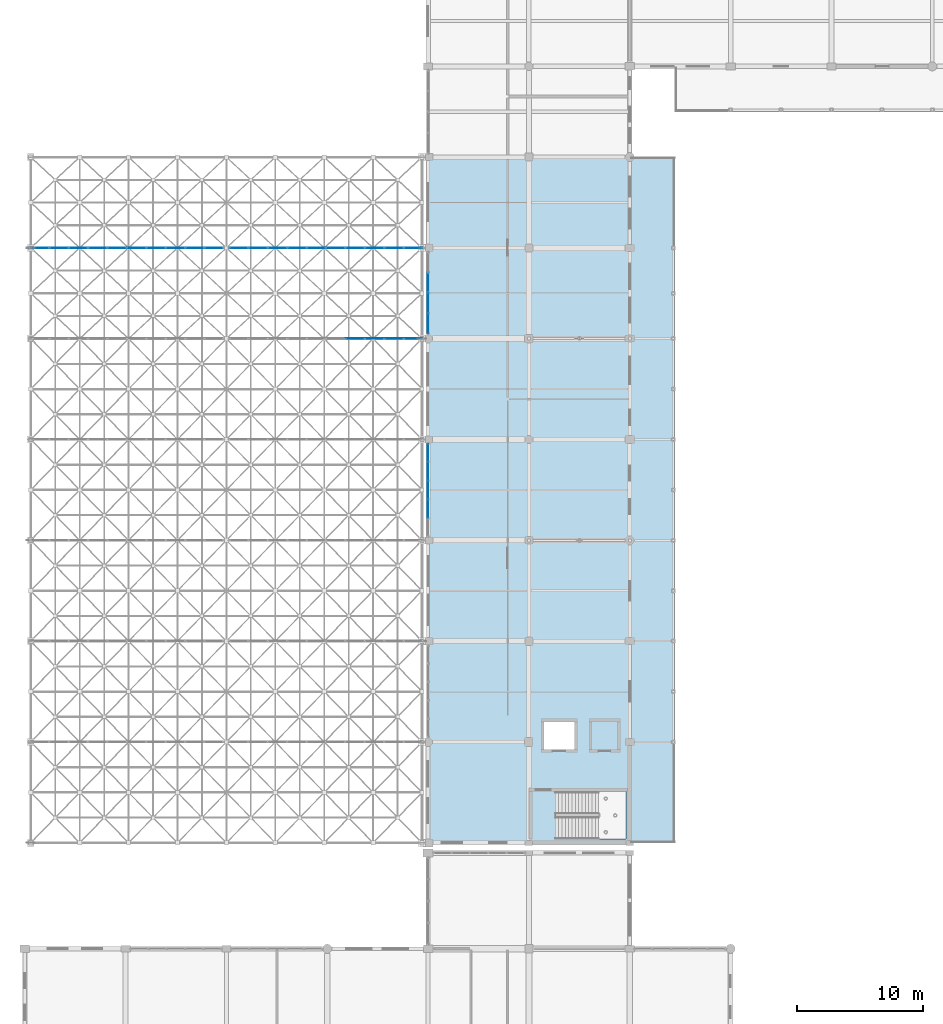
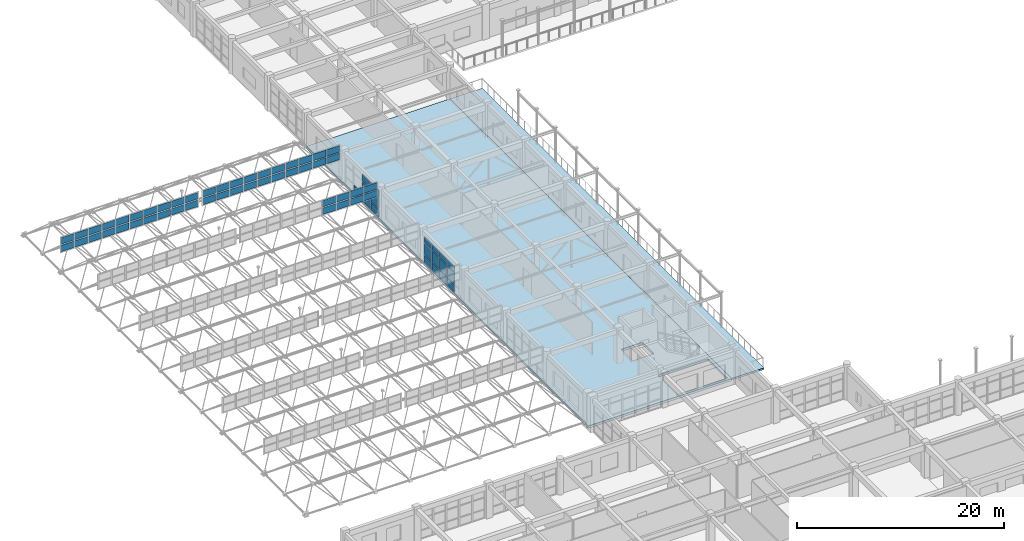
# One storey, part 149 of 195: 67 plates, 2 slabs, 5 elements without a shape of their own.
"""IFC4 building model written with IfcOpenShell, lengths in metres."""

from ifc_helpers import new_model, si_unit, direction, frame, origin, origin_2d, place, context, subcontext, project, spatial, polyline, rectangle, outline, extrude, material, layer, layer_set, type_object, element, aggregate, save


model = new_model("IFC4")

# Units and contexts
model_context = context("Model", 3, precision=1e-05, world=origin(), true_north=direction((0.0, 1.0)))
body_context = subcontext(model_context, "Body", "Model", "MODEL_VIEW")
ifc_project = project(units=[si_unit("LENGTHUNIT", "METRE"), si_unit("AREAUNIT", "SQUARE_METRE"), si_unit("VOLUMEUNIT", "CUBIC_METRE"), si_unit("PLANEANGLEUNIT", "RADIAN"), si_unit("MASSUNIT", "GRAM", prefix="KILO")], contexts=[model_context])

# Site, building, storey
site_placement = place(None, origin())
site = spatial("IfcSite", under=ifc_project, at=site_placement, CompositionType="ELEMENT")
building_placement = place(site_placement, origin())
building = spatial("IfcBuilding", under=site, at=building_placement, Name="Kharva Crest Polytechnic", CompositionType="ELEMENT")
storey_placement = place(building_placement, frame((0.0, 0.0, 9.0)))
storey = spatial("IfcBuildingStorey", under=building, at=storey_placement, Name="L02", CompositionType="ELEMENT", Elevation=9.0)

# Curtain wall, plates
ifc_material_1 = material(Name="Tempered insulated glass", Category="glass")
curtain_wall_type_1 = type_object("IfcCurtainWallType", Name="CW-SYS-COURT", PredefinedType="USERDEFINED", material=ifc_material_1)
curtain_wall_1_placement = place(storey_placement, origin())
curtain_wall_1 = element("IfcCurtainWall", 1, at=curtain_wall_1_placement, inside=storey, type_object=curtain_wall_type_1, Name="L02 Glazed Curtain Wall CW-098", ObjectType="CURTAIN WALL", PredefinedType="USERDEFINED")
ifc_layer_1 = layer(ifc_material_1, 0.02392578125, Name="Tempered insulated glass")
ifc_layer_set_1 = layer_set([ifc_layer_1], Name="Tempered insulated glass")
plate_type_1 = type_object("IfcPlateType", Name="CWP-GLZ-24", PredefinedType="CURTAIN_PANEL", material=ifc_layer_set_1)
plate_1_placement = place(storey_placement, frame((32.0, 83.246337890625, 0.119873046875), z_axis=(0.0, 0.0, 1.0), x_axis=(0.0, -1.0, 0.0)))
plate_1 = element("IfcPlate", 2, at=plate_1_placement, type_object=plate_type_1, Name="CW-098 panel 2.1", PredefinedType="CURTAIN_PANEL", context=body_context, shape_type="SweptSolid", body=[
    extrude(rectangle(XDim=1.552490234375, YDim=0.02392578125, at=origin_2d()), origin(), (0.0, 0.0, 1.0), 0.8701171875),
])
plate_2_placement = place(storey_placement, frame((32.0, 81.61376953125, 0.119873046875), z_axis=(0.0, 0.0, 1.0), x_axis=(0.0, -1.0, 0.0)))
plate_2 = element("IfcPlate", 3, at=plate_2_placement, type_object=plate_type_1, Name="CW-098 panel 3.1", PredefinedType="CURTAIN_PANEL", context=body_context, shape_type="SweptSolid", body=[
    extrude(rectangle(XDim=1.552490234375, YDim=0.02392578125, at=origin_2d()), origin(), (0.0, 0.0, 1.0), 0.8701171875),
])
plate_3_placement = place(storey_placement, frame((32.0, 81.61376953125, 1.10986328125), z_axis=(0.0, 0.0, 1.0), x_axis=(0.0, -1.0, 0.0)))
plate_3 = element("IfcPlate", 4, at=plate_3_placement, type_object=plate_type_1, Name="CW-098 panel 3.2", PredefinedType="CURTAIN_PANEL", context=body_context, shape_type="SweptSolid", body=[
    extrude(rectangle(XDim=1.552490234375, YDim=0.02392578125, at=origin_2d()), origin(), (0.0, 0.0, 1.0), 1.280029296875),
])
plate_4_placement = place(storey_placement, frame((32.0, 81.61376953125, 2.510009765625), z_axis=(0.0, 0.0, 1.0), x_axis=(0.0, -1.0, 0.0)))
plate_4 = element("IfcPlate", 5, at=plate_4_placement, type_object=plate_type_1, Name="CW-098 panel 3.3", PredefinedType="CURTAIN_PANEL", context=body_context, shape_type="SweptSolid", body=[
    extrude(rectangle(XDim=1.552490234375, YDim=0.02392578125, at=origin_2d()), origin(), (0.0, 0.0, 1.0), 0.77001953125),
])
plate_5_placement = place(storey_placement, frame((32.0, 80.001220703125, 0.119873046875), z_axis=(0.0, 0.0, 1.0), x_axis=(0.0, -1.0, 0.0)))
plate_5 = element("IfcPlate", 6, at=plate_5_placement, type_object=plate_type_1, Name="CW-098 panel 4.1", PredefinedType="CURTAIN_PANEL", context=body_context, shape_type="SweptSolid", body=[
    extrude(rectangle(XDim=1.512451171875, YDim=0.02392578125, at=origin_2d()), origin(), (0.0, 0.0, 1.0), 0.8701171875),
])
plate_6_placement = place(storey_placement, frame((32.0, 80.001220703125, 1.10986328125), z_axis=(0.0, 0.0, 1.0), x_axis=(0.0, -1.0, 0.0)))
plate_6 = element("IfcPlate", 7, at=plate_6_placement, type_object=plate_type_1, Name="CW-098 panel 4.2", PredefinedType="CURTAIN_PANEL", context=body_context, shape_type="SweptSolid", body=[
    extrude(rectangle(XDim=1.512451171875, YDim=0.02392578125, at=origin_2d()), origin(), (0.0, 0.0, 1.0), 1.280029296875),
])
plate_7_placement = place(storey_placement, frame((32.0, 80.001220703125, 2.510009765625), z_axis=(0.0, 0.0, 1.0), x_axis=(0.0, -1.0, 0.0)))
plate_7 = element("IfcPlate", 8, at=plate_7_placement, type_object=plate_type_1, Name="CW-098 panel 4.3", PredefinedType="CURTAIN_PANEL", context=body_context, shape_type="SweptSolid", body=[
    extrude(rectangle(XDim=1.512451171875, YDim=0.02392578125, at=origin_2d()), origin(), (0.0, 0.0, 1.0), 0.77001953125),
])
aggregate(curtain_wall_1, [plate_1, plate_2, plate_3, plate_4, plate_5, plate_6, plate_7])

curtain_wall_2_placement = place(storey_placement, origin())
curtain_wall_2 = element("IfcCurtainWall", 9, at=curtain_wall_2_placement, inside=storey, type_object=curtain_wall_type_1, Name="L02 Glazed Curtain Wall CW-099", ObjectType="CURTAIN WALL", PredefinedType="USERDEFINED")
plate_8_placement = place(storey_placement, frame((32.0, 69.756103515625, 0.119873046875), z_axis=(0.0, 0.0, 1.0), x_axis=(0.0, -1.0, 0.0)))
plate_8 = element("IfcPlate", 10, at=plate_8_placement, type_object=plate_type_1, Name="CW-099 panel 1.1", PredefinedType="CURTAIN_PANEL", context=body_context, shape_type="SweptSolid", body=[
    extrude(rectangle(XDim=1.367919921875, YDim=0.02392578125, at=origin_2d()), origin(), (0.0, 0.0, 1.0), 0.8701171875),
])
plate_9_placement = place(storey_placement, frame((32.0, 69.756103515625, 1.10986328125), z_axis=(0.0, 0.0, 1.0), x_axis=(0.0, -1.0, 0.0)))
plate_9 = element("IfcPlate", 11, at=plate_9_placement, type_object=plate_type_1, Name="CW-099 panel 1.2", PredefinedType="CURTAIN_PANEL", context=body_context, shape_type="SweptSolid", body=[
    extrude(rectangle(XDim=1.367919921875, YDim=0.02392578125, at=origin_2d()), origin(), (0.0, 0.0, 1.0), 1.280029296875),
])
plate_10_placement = place(storey_placement, frame((32.0, 69.756103515625, 2.510009765625), z_axis=(0.0, 0.0, 1.0), x_axis=(0.0, -1.0, 0.0)))
plate_10 = element("IfcPlate", 12, at=plate_10_placement, type_object=plate_type_1, Name="CW-099 panel 1.3", PredefinedType="CURTAIN_PANEL", context=body_context, shape_type="SweptSolid", body=[
    extrude(rectangle(XDim=1.367919921875, YDim=0.02392578125, at=origin_2d()), origin(), (0.0, 0.0, 1.0), 0.669921875),
])
plate_11_placement = place(storey_placement, frame((32.0, 68.2880859375, 0.119873046875), z_axis=(0.0, 0.0, 1.0), x_axis=(0.0, -1.0, 0.0)))
plate_11 = element("IfcPlate", 13, at=plate_11_placement, type_object=plate_type_1, Name="CW-099 panel 2.1", PredefinedType="CURTAIN_PANEL", context=body_context, shape_type="SweptSolid", body=[
    extrude(rectangle(XDim=1.407958984375, YDim=0.02392578125, at=origin_2d()), origin(), (0.0, 0.0, 1.0), 0.8701171875),
])
plate_12_placement = place(storey_placement, frame((32.0, 68.2880859375, 1.10986328125), z_axis=(0.0, 0.0, 1.0), x_axis=(0.0, -1.0, 0.0)))
plate_12 = element("IfcPlate", 14, at=plate_12_placement, type_object=plate_type_1, Name="CW-099 panel 2.2", PredefinedType="CURTAIN_PANEL", context=body_context, shape_type="SweptSolid", body=[
    extrude(rectangle(XDim=1.407958984375, YDim=0.02392578125, at=origin_2d()), origin(), (0.0, 0.0, 1.0), 1.280029296875),
])
plate_13_placement = place(storey_placement, frame((32.0, 68.2880859375, 2.510009765625), z_axis=(0.0, 0.0, 1.0), x_axis=(0.0, -1.0, 0.0)))
plate_13 = element("IfcPlate", 15, at=plate_13_placement, type_object=plate_type_1, Name="CW-099 panel 2.3", PredefinedType="CURTAIN_PANEL", context=body_context, shape_type="SweptSolid", body=[
    extrude(rectangle(XDim=1.407958984375, YDim=0.02392578125, at=origin_2d()), origin(), (0.0, 0.0, 1.0), 0.669921875),
])
plate_14_placement = place(storey_placement, frame((32.0, 66.800048828125, 0.119873046875), z_axis=(0.0, 0.0, 1.0), x_axis=(0.0, -1.0, 0.0)))
plate_14 = element("IfcPlate", 16, at=plate_14_placement, type_object=plate_type_1, Name="CW-099 panel 3.1", PredefinedType="CURTAIN_PANEL", context=body_context, shape_type="SweptSolid", body=[
    extrude(rectangle(XDim=1.407958984375, YDim=0.02392578125, at=origin_2d()), origin(), (0.0, 0.0, 1.0), 0.8701171875),
])
plate_15_placement = place(storey_placement, frame((32.0, 66.800048828125, 1.10986328125), z_axis=(0.0, 0.0, 1.0), x_axis=(0.0, -1.0, 0.0)))
plate_15 = element("IfcPlate", 17, at=plate_15_placement, type_object=plate_type_1, Name="CW-099 panel 3.2", PredefinedType="CURTAIN_PANEL", context=body_context, shape_type="SweptSolid", body=[
    extrude(rectangle(XDim=1.407958984375, YDim=0.02392578125, at=origin_2d()), origin(), (0.0, 0.0, 1.0), 1.280029296875),
])
plate_16_placement = place(storey_placement, frame((32.0, 66.800048828125, 2.510009765625), z_axis=(0.0, 0.0, 1.0), x_axis=(0.0, -1.0, 0.0)))
plate_16 = element("IfcPlate", 18, at=plate_16_placement, type_object=plate_type_1, Name="CW-099 panel 3.3", PredefinedType="CURTAIN_PANEL", context=body_context, shape_type="SweptSolid", body=[
    extrude(rectangle(XDim=1.407958984375, YDim=0.02392578125, at=origin_2d()), origin(), (0.0, 0.0, 1.0), 0.669921875),
])
plate_17_placement = place(storey_placement, frame((32.0, 65.31201171875, 0.119873046875), z_axis=(0.0, 0.0, 1.0), x_axis=(0.0, -1.0, 0.0)))
plate_17 = element("IfcPlate", 19, at=plate_17_placement, type_object=plate_type_1, Name="CW-099 panel 4.1", PredefinedType="CURTAIN_PANEL", context=body_context, shape_type="SweptSolid", body=[
    extrude(rectangle(XDim=1.407958984375, YDim=0.02392578125, at=origin_2d()), origin(), (0.0, 0.0, 1.0), 0.8701171875),
])
plate_18_placement = place(storey_placement, frame((32.0, 65.31201171875, 1.10986328125), z_axis=(0.0, 0.0, 1.0), x_axis=(0.0, -1.0, 0.0)))
plate_18 = element("IfcPlate", 20, at=plate_18_placement, type_object=plate_type_1, Name="CW-099 panel 4.2", PredefinedType="CURTAIN_PANEL", context=body_context, shape_type="SweptSolid", body=[
    extrude(rectangle(XDim=1.407958984375, YDim=0.02392578125, at=origin_2d()), origin(), (0.0, 0.0, 1.0), 1.280029296875),
])
plate_19_placement = place(storey_placement, frame((32.0, 65.31201171875, 2.510009765625), z_axis=(0.0, 0.0, 1.0), x_axis=(0.0, -1.0, 0.0)))
plate_19 = element("IfcPlate", 21, at=plate_19_placement, type_object=plate_type_1, Name="CW-099 panel 4.3", PredefinedType="CURTAIN_PANEL", context=body_context, shape_type="SweptSolid", body=[
    extrude(rectangle(XDim=1.407958984375, YDim=0.02392578125, at=origin_2d()), origin(), (0.0, 0.0, 1.0), 0.669921875),
])
aggregate(curtain_wall_2, [plate_8, plate_9, plate_10, plate_11, plate_12, plate_13, plate_14, plate_15, plate_16, plate_17, plate_18, plate_19])

curtain_wall_type_2 = type_object("IfcCurtainWallType", Name="CW-SYS-NORTHLIGHT", PredefinedType="USERDEFINED", material=ifc_material_1)
curtain_wall_3_placement = place(storey_placement, origin())
curtain_wall_3 = element("IfcCurtainWall", 22, at=curtain_wall_3_placement, inside=storey, type_object=curtain_wall_type_2, Name="L02 Glazed Curtain Wall CW-198", ObjectType="CURTAIN WALL", PredefinedType="USERDEFINED")
ifc_layer_2 = layer(ifc_material_1, 0.028076171875, Name="Tempered insulated glass")
ifc_layer_set_2 = layer_set([ifc_layer_2], Name="Tempered insulated glass")
plate_type_2 = type_object("IfcPlateType", Name="CWP-GLZ-28", PredefinedType="CURTAIN_PANEL", material=ifc_layer_set_2)
plate_20_placement = place(storey_placement, frame((26.2099609375, 78.800048828125, 2.969970703125), z_axis=(0.0, 0.0, 1.0), x_axis=(1.0, 0.0, 0.0)))
plate_20 = element("IfcPlate", 23, at=plate_20_placement, type_object=plate_type_2, Name="CW-198 panel 7.1", PredefinedType="CURTAIN_PANEL", context=body_context, shape_type="SweptSolid", body=[
    extrude(rectangle(XDim=1.4599609375, YDim=0.028076171875, at=origin_2d()), origin(), (0.0, 0.0, 1.0), 0.77001953125),
])
plate_21_placement = place(storey_placement, frame((26.2099609375, 78.800048828125, 3.860107421875), z_axis=(0.0, 0.0, 1.0), x_axis=(1.0, 0.0, 0.0)))
plate_21 = element("IfcPlate", 24, at=plate_21_placement, type_object=plate_type_2, Name="CW-198 panel 7.2", PredefinedType="CURTAIN_PANEL", context=body_context, shape_type="SweptSolid", body=[
    extrude(rectangle(XDim=1.4599609375, YDim=0.028076171875, at=origin_2d()), origin(), (0.0, 0.0, 1.0), 0.77001953125),
])
plate_22_placement = place(storey_placement, frame((27.75, 78.800048828125, 2.969970703125), z_axis=(0.0, 0.0, 1.0), x_axis=(1.0, 0.0, 0.0)))
plate_22 = element("IfcPlate", 25, at=plate_22_placement, type_object=plate_type_2, Name="CW-198 panel 8.1", PredefinedType="CURTAIN_PANEL", context=body_context, shape_type="SweptSolid", body=[
    extrude(rectangle(XDim=1.4599609375, YDim=0.028076171875, at=origin_2d()), origin(), (0.0, 0.0, 1.0), 0.77001953125),
])
plate_23_placement = place(storey_placement, frame((27.75, 78.800048828125, 3.860107421875), z_axis=(0.0, 0.0, 1.0), x_axis=(1.0, 0.0, 0.0)))
plate_23 = element("IfcPlate", 26, at=plate_23_placement, type_object=plate_type_2, Name="CW-198 panel 8.2", PredefinedType="CURTAIN_PANEL", context=body_context, shape_type="SweptSolid", body=[
    extrude(rectangle(XDim=1.4599609375, YDim=0.028076171875, at=origin_2d()), origin(), (0.0, 0.0, 1.0), 0.77001953125),
])
plate_24_placement = place(storey_placement, frame((29.2900390625, 78.800048828125, 2.969970703125), z_axis=(0.0, 0.0, 1.0), x_axis=(1.0, 0.0, 0.0)))
plate_24 = element("IfcPlate", 27, at=plate_24_placement, type_object=plate_type_2, Name="CW-198 panel 9.1", PredefinedType="CURTAIN_PANEL", context=body_context, shape_type="SweptSolid", body=[
    extrude(rectangle(XDim=1.4599609375, YDim=0.028076171875, at=origin_2d()), origin(), (0.0, 0.0, 1.0), 0.77001953125),
])
plate_25_placement = place(storey_placement, frame((29.2900390625, 78.800048828125, 3.860107421875), z_axis=(0.0, 0.0, 1.0), x_axis=(1.0, 0.0, 0.0)))
plate_25 = element("IfcPlate", 28, at=plate_25_placement, type_object=plate_type_2, Name="CW-198 panel 9.2", PredefinedType="CURTAIN_PANEL", context=body_context, shape_type="SweptSolid", body=[
    extrude(rectangle(XDim=1.4599609375, YDim=0.028076171875, at=origin_2d()), origin(), (0.0, 0.0, 1.0), 0.77001953125),
])
plate_26_placement = place(storey_placement, frame((30.81005859375, 78.800048828125, 2.969970703125), z_axis=(0.0, 0.0, 1.0), x_axis=(1.0, 0.0, 0.0)))
plate_26 = element("IfcPlate", 29, at=plate_26_placement, type_object=plate_type_2, Name="CW-198 panel 10.1", PredefinedType="CURTAIN_PANEL", context=body_context, shape_type="SweptSolid", body=[
    extrude(rectangle(XDim=1.419921875, YDim=0.028076171875, at=origin_2d()), origin(), (0.0, 0.0, 1.0), 0.77001953125),
])
plate_27_placement = place(storey_placement, frame((30.81005859375, 78.800048828125, 3.860107421875), z_axis=(0.0, 0.0, 1.0), x_axis=(1.0, 0.0, 0.0)))
plate_27 = element("IfcPlate", 30, at=plate_27_placement, type_object=plate_type_2, Name="CW-198 panel 10.2", PredefinedType="CURTAIN_PANEL", context=body_context, shape_type="SweptSolid", body=[
    extrude(rectangle(XDim=1.419921875, YDim=0.028076171875, at=origin_2d()), origin(), (0.0, 0.0, 1.0), 0.77001953125),
])
aggregate(curtain_wall_3, [plate_20, plate_21, plate_22, plate_23, plate_24, plate_25, plate_26, plate_27])

curtain_wall_4_placement = place(storey_placement, origin())
curtain_wall_4 = element("IfcCurtainWall", 31, at=curtain_wall_4_placement, inside=storey, type_object=curtain_wall_type_2, Name="L02 Glazed Curtain Wall CW-199", ObjectType="CURTAIN WALL", PredefinedType="USERDEFINED")
plate_28_placement = place(storey_placement, frame((1.18994140625, 86.0, 2.969970703125), z_axis=(0.0, 0.0, 1.0), x_axis=(1.0, 0.0, 0.0)))
plate_28 = element("IfcPlate", 32, at=plate_28_placement, type_object=plate_type_2, Name="CW-199 panel 1.1", PredefinedType="CURTAIN_PANEL", context=body_context, shape_type="SweptSolid", body=[
    extrude(rectangle(XDim=1.419921875, YDim=0.028076171875, at=origin_2d()), origin(), (0.0, 0.0, 1.0), 0.77001953125),
])
plate_29_placement = place(storey_placement, frame((1.18994140625, 86.0, 3.860107421875), z_axis=(0.0, 0.0, 1.0), x_axis=(1.0, 0.0, 0.0)))
plate_29 = element("IfcPlate", 33, at=plate_29_placement, type_object=plate_type_2, Name="CW-199 panel 1.2", PredefinedType="CURTAIN_PANEL", context=body_context, shape_type="SweptSolid", body=[
    extrude(rectangle(XDim=1.419921875, YDim=0.028076171875, at=origin_2d()), origin(), (0.0, 0.0, 1.0), 0.77001953125),
])
plate_30_placement = place(storey_placement, frame((2.7099609375, 86.0, 2.969970703125), z_axis=(0.0, 0.0, 1.0), x_axis=(1.0, 0.0, 0.0)))
plate_30 = element("IfcPlate", 34, at=plate_30_placement, type_object=plate_type_2, Name="CW-199 panel 2.1", PredefinedType="CURTAIN_PANEL", context=body_context, shape_type="SweptSolid", body=[
    extrude(rectangle(XDim=1.4599609375, YDim=0.028076171875, at=origin_2d()), origin(), (0.0, 0.0, 1.0), 0.77001953125),
])
plate_31_placement = place(storey_placement, frame((2.7099609375, 86.0, 3.860107421875), z_axis=(0.0, 0.0, 1.0), x_axis=(1.0, 0.0, 0.0)))
plate_31 = element("IfcPlate", 35, at=plate_31_placement, type_object=plate_type_2, Name="CW-199 panel 2.2", PredefinedType="CURTAIN_PANEL", context=body_context, shape_type="SweptSolid", body=[
    extrude(rectangle(XDim=1.4599609375, YDim=0.028076171875, at=origin_2d()), origin(), (0.0, 0.0, 1.0), 0.77001953125),
])
plate_32_placement = place(storey_placement, frame((4.25, 86.0, 2.969970703125), z_axis=(0.0, 0.0, 1.0), x_axis=(1.0, 0.0, 0.0)))
plate_32 = element("IfcPlate", 36, at=plate_32_placement, type_object=plate_type_2, Name="CW-199 panel 3.1", PredefinedType="CURTAIN_PANEL", context=body_context, shape_type="SweptSolid", body=[
    extrude(rectangle(XDim=1.4599609375, YDim=0.028076171875, at=origin_2d()), origin(), (0.0, 0.0, 1.0), 0.77001953125),
])
plate_33_placement = place(storey_placement, frame((4.25, 86.0, 3.860107421875), z_axis=(0.0, 0.0, 1.0), x_axis=(1.0, 0.0, 0.0)))
plate_33 = element("IfcPlate", 37, at=plate_33_placement, type_object=plate_type_2, Name="CW-199 panel 3.2", PredefinedType="CURTAIN_PANEL", context=body_context, shape_type="SweptSolid", body=[
    extrude(rectangle(XDim=1.4599609375, YDim=0.028076171875, at=origin_2d()), origin(), (0.0, 0.0, 1.0), 0.77001953125),
])
plate_34_placement = place(storey_placement, frame((5.7900390625, 86.0, 2.969970703125), z_axis=(0.0, 0.0, 1.0), x_axis=(1.0, 0.0, 0.0)))
plate_34 = element("IfcPlate", 38, at=plate_34_placement, type_object=plate_type_2, Name="CW-199 panel 4.1", PredefinedType="CURTAIN_PANEL", context=body_context, shape_type="SweptSolid", body=[
    extrude(rectangle(XDim=1.4599609375, YDim=0.028076171875, at=origin_2d()), origin(), (0.0, 0.0, 1.0), 0.77001953125),
])
plate_35_placement = place(storey_placement, frame((5.7900390625, 86.0, 3.860107421875), z_axis=(0.0, 0.0, 1.0), x_axis=(1.0, 0.0, 0.0)))
plate_35 = element("IfcPlate", 39, at=plate_35_placement, type_object=plate_type_2, Name="CW-199 panel 4.2", PredefinedType="CURTAIN_PANEL", context=body_context, shape_type="SweptSolid", body=[
    extrude(rectangle(XDim=1.4599609375, YDim=0.028076171875, at=origin_2d()), origin(), (0.0, 0.0, 1.0), 0.77001953125),
])
plate_36_placement = place(storey_placement, frame((7.330078125, 86.0, 2.969970703125), z_axis=(0.0, 0.0, 1.0), x_axis=(1.0, 0.0, 0.0)))
plate_36 = element("IfcPlate", 40, at=plate_36_placement, type_object=plate_type_2, Name="CW-199 panel 5.1", PredefinedType="CURTAIN_PANEL", context=body_context, shape_type="SweptSolid", body=[
    extrude(rectangle(XDim=1.4599609375, YDim=0.028076171875, at=origin_2d()), origin(), (0.0, 0.0, 1.0), 0.77001953125),
])
plate_37_placement = place(storey_placement, frame((7.330078125, 86.0, 3.860107421875), z_axis=(0.0, 0.0, 1.0), x_axis=(1.0, 0.0, 0.0)))
plate_37 = element("IfcPlate", 41, at=plate_37_placement, type_object=plate_type_2, Name="CW-199 panel 5.2", PredefinedType="CURTAIN_PANEL", context=body_context, shape_type="SweptSolid", body=[
    extrude(rectangle(XDim=1.4599609375, YDim=0.028076171875, at=origin_2d()), origin(), (0.0, 0.0, 1.0), 0.77001953125),
])
plate_38_placement = place(storey_placement, frame((8.8701171875, 86.0, 2.969970703125), z_axis=(0.0, 0.0, 1.0), x_axis=(1.0, 0.0, 0.0)))
plate_38 = element("IfcPlate", 42, at=plate_38_placement, type_object=plate_type_2, Name="CW-199 panel 6.1", PredefinedType="CURTAIN_PANEL", context=body_context, shape_type="SweptSolid", body=[
    extrude(rectangle(XDim=1.4599609375, YDim=0.028076171875, at=origin_2d()), origin(), (0.0, 0.0, 1.0), 0.77001953125),
])
plate_39_placement = place(storey_placement, frame((8.8701171875, 86.0, 3.860107421875), z_axis=(0.0, 0.0, 1.0), x_axis=(1.0, 0.0, 0.0)))
plate_39 = element("IfcPlate", 43, at=plate_39_placement, type_object=plate_type_2, Name="CW-199 panel 6.2", PredefinedType="CURTAIN_PANEL", context=body_context, shape_type="SweptSolid", body=[
    extrude(rectangle(XDim=1.4599609375, YDim=0.028076171875, at=origin_2d()), origin(), (0.0, 0.0, 1.0), 0.77001953125),
])
plate_40_placement = place(storey_placement, frame((10.409912109375, 86.0, 2.969970703125), z_axis=(0.0, 0.0, 1.0), x_axis=(1.0, 0.0, 0.0)))
plate_40 = element("IfcPlate", 44, at=plate_40_placement, type_object=plate_type_2, Name="CW-199 panel 7.1", PredefinedType="CURTAIN_PANEL", context=body_context, shape_type="SweptSolid", body=[
    extrude(rectangle(XDim=1.4599609375, YDim=0.028076171875, at=origin_2d()), origin(), (0.0, 0.0, 1.0), 0.77001953125),
])
plate_41_placement = place(storey_placement, frame((10.409912109375, 86.0, 3.860107421875), z_axis=(0.0, 0.0, 1.0), x_axis=(1.0, 0.0, 0.0)))
plate_41 = element("IfcPlate", 45, at=plate_41_placement, type_object=plate_type_2, Name="CW-199 panel 7.2", PredefinedType="CURTAIN_PANEL", context=body_context, shape_type="SweptSolid", body=[
    extrude(rectangle(XDim=1.4599609375, YDim=0.028076171875, at=origin_2d()), origin(), (0.0, 0.0, 1.0), 0.77001953125),
])
plate_42_placement = place(storey_placement, frame((11.949951171875, 86.0, 2.969970703125), z_axis=(0.0, 0.0, 1.0), x_axis=(1.0, 0.0, 0.0)))
plate_42 = element("IfcPlate", 46, at=plate_42_placement, type_object=plate_type_2, Name="CW-199 panel 8.1", PredefinedType="CURTAIN_PANEL", context=body_context, shape_type="SweptSolid", body=[
    extrude(rectangle(XDim=1.4599609375, YDim=0.028076171875, at=origin_2d()), origin(), (0.0, 0.0, 1.0), 0.77001953125),
])
plate_43_placement = place(storey_placement, frame((11.949951171875, 86.0, 3.860107421875), z_axis=(0.0, 0.0, 1.0), x_axis=(1.0, 0.0, 0.0)))
plate_43 = element("IfcPlate", 47, at=plate_43_placement, type_object=plate_type_2, Name="CW-199 panel 8.2", PredefinedType="CURTAIN_PANEL", context=body_context, shape_type="SweptSolid", body=[
    extrude(rectangle(XDim=1.4599609375, YDim=0.028076171875, at=origin_2d()), origin(), (0.0, 0.0, 1.0), 0.77001953125),
])
plate_44_placement = place(storey_placement, frame((13.489990234375, 86.0, 2.969970703125), z_axis=(0.0, 0.0, 1.0), x_axis=(1.0, 0.0, 0.0)))
plate_44 = element("IfcPlate", 48, at=plate_44_placement, type_object=plate_type_2, Name="CW-199 panel 9.1", PredefinedType="CURTAIN_PANEL", context=body_context, shape_type="SweptSolid", body=[
    extrude(rectangle(XDim=1.4599609375, YDim=0.028076171875, at=origin_2d()), origin(), (0.0, 0.0, 1.0), 0.77001953125),
])
plate_45_placement = place(storey_placement, frame((13.489990234375, 86.0, 3.860107421875), z_axis=(0.0, 0.0, 1.0), x_axis=(1.0, 0.0, 0.0)))
plate_45 = element("IfcPlate", 49, at=plate_45_placement, type_object=plate_type_2, Name="CW-199 panel 9.2", PredefinedType="CURTAIN_PANEL", context=body_context, shape_type="SweptSolid", body=[
    extrude(rectangle(XDim=1.4599609375, YDim=0.028076171875, at=origin_2d()), origin(), (0.0, 0.0, 1.0), 0.77001953125),
])
plate_46_placement = place(storey_placement, frame((15.010009765625, 86.0, 2.969970703125), z_axis=(0.0, 0.0, 1.0), x_axis=(1.0, 0.0, 0.0)))
plate_46 = element("IfcPlate", 50, at=plate_46_placement, type_object=plate_type_2, Name="CW-199 panel 10.1", PredefinedType="CURTAIN_PANEL", context=body_context, shape_type="SweptSolid", body=[
    extrude(rectangle(XDim=1.419921875, YDim=0.028076171875, at=origin_2d()), origin(), (0.0, 0.0, 1.0), 0.77001953125),
])
plate_47_placement = place(storey_placement, frame((15.010009765625, 86.0, 3.860107421875), z_axis=(0.0, 0.0, 1.0), x_axis=(1.0, 0.0, 0.0)))
plate_47 = element("IfcPlate", 51, at=plate_47_placement, type_object=plate_type_2, Name="CW-199 panel 10.2", PredefinedType="CURTAIN_PANEL", context=body_context, shape_type="SweptSolid", body=[
    extrude(rectangle(XDim=1.419921875, YDim=0.028076171875, at=origin_2d()), origin(), (0.0, 0.0, 1.0), 0.77001953125),
])
aggregate(curtain_wall_4, [plate_28, plate_29, plate_30, plate_31, plate_32, plate_33, plate_34, plate_35, plate_36, plate_37, plate_38, plate_39, plate_40, plate_41, plate_42, plate_43, plate_44, plate_45, plate_46, plate_47])

curtain_wall_5_placement = place(storey_placement, origin())
curtain_wall_5 = element("IfcCurtainWall", 52, at=curtain_wall_5_placement, inside=storey, type_object=curtain_wall_type_2, Name="L02 Glazed Curtain Wall CW-200", ObjectType="CURTAIN WALL", PredefinedType="USERDEFINED")
plate_48_placement = place(storey_placement, frame((16.989990234375, 86.0, 2.969970703125), z_axis=(0.0, 0.0, 1.0), x_axis=(1.0, 0.0, 0.0)))
plate_48 = element("IfcPlate", 53, at=plate_48_placement, type_object=plate_type_2, Name="CW-200 panel 1.1", PredefinedType="CURTAIN_PANEL", context=body_context, shape_type="SweptSolid", body=[
    extrude(rectangle(XDim=1.419921875, YDim=0.028076171875, at=origin_2d()), origin(), (0.0, 0.0, 1.0), 0.77001953125),
])
plate_49_placement = place(storey_placement, frame((16.989990234375, 86.0, 3.860107421875), z_axis=(0.0, 0.0, 1.0), x_axis=(1.0, 0.0, 0.0)))
plate_49 = element("IfcPlate", 54, at=plate_49_placement, type_object=plate_type_2, Name="CW-200 panel 1.2", PredefinedType="CURTAIN_PANEL", context=body_context, shape_type="SweptSolid", body=[
    extrude(rectangle(XDim=1.419921875, YDim=0.028076171875, at=origin_2d()), origin(), (0.0, 0.0, 1.0), 0.77001953125),
])
plate_50_placement = place(storey_placement, frame((18.510009765625, 86.0, 2.969970703125), z_axis=(0.0, 0.0, 1.0), x_axis=(1.0, 0.0, 0.0)))
plate_50 = element("IfcPlate", 55, at=plate_50_placement, type_object=plate_type_2, Name="CW-200 panel 2.1", PredefinedType="CURTAIN_PANEL", context=body_context, shape_type="SweptSolid", body=[
    extrude(rectangle(XDim=1.4599609375, YDim=0.028076171875, at=origin_2d()), origin(), (0.0, 0.0, 1.0), 0.77001953125),
])
plate_51_placement = place(storey_placement, frame((18.510009765625, 86.0, 3.860107421875), z_axis=(0.0, 0.0, 1.0), x_axis=(1.0, 0.0, 0.0)))
plate_51 = element("IfcPlate", 56, at=plate_51_placement, type_object=plate_type_2, Name="CW-200 panel 2.2", PredefinedType="CURTAIN_PANEL", context=body_context, shape_type="SweptSolid", body=[
    extrude(rectangle(XDim=1.4599609375, YDim=0.028076171875, at=origin_2d()), origin(), (0.0, 0.0, 1.0), 0.77001953125),
])
plate_52_placement = place(storey_placement, frame((20.050048828125, 86.0, 2.969970703125), z_axis=(0.0, 0.0, 1.0), x_axis=(1.0, 0.0, 0.0)))
plate_52 = element("IfcPlate", 57, at=plate_52_placement, type_object=plate_type_2, Name="CW-200 panel 3.1", PredefinedType="CURTAIN_PANEL", context=body_context, shape_type="SweptSolid", body=[
    extrude(rectangle(XDim=1.4599609375, YDim=0.028076171875, at=origin_2d()), origin(), (0.0, 0.0, 1.0), 0.77001953125),
])
plate_53_placement = place(storey_placement, frame((20.050048828125, 86.0, 3.860107421875), z_axis=(0.0, 0.0, 1.0), x_axis=(1.0, 0.0, 0.0)))
plate_53 = element("IfcPlate", 58, at=plate_53_placement, type_object=plate_type_2, Name="CW-200 panel 3.2", PredefinedType="CURTAIN_PANEL", context=body_context, shape_type="SweptSolid", body=[
    extrude(rectangle(XDim=1.4599609375, YDim=0.028076171875, at=origin_2d()), origin(), (0.0, 0.0, 1.0), 0.77001953125),
])
plate_54_placement = place(storey_placement, frame((21.590087890625, 86.0, 2.969970703125), z_axis=(0.0, 0.0, 1.0), x_axis=(1.0, 0.0, 0.0)))
plate_54 = element("IfcPlate", 59, at=plate_54_placement, type_object=plate_type_2, Name="CW-200 panel 4.1", PredefinedType="CURTAIN_PANEL", context=body_context, shape_type="SweptSolid", body=[
    extrude(rectangle(XDim=1.4599609375, YDim=0.028076171875, at=origin_2d()), origin(), (0.0, 0.0, 1.0), 0.77001953125),
])
plate_55_placement = place(storey_placement, frame((21.590087890625, 86.0, 3.860107421875), z_axis=(0.0, 0.0, 1.0), x_axis=(1.0, 0.0, 0.0)))
plate_55 = element("IfcPlate", 60, at=plate_55_placement, type_object=plate_type_2, Name="CW-200 panel 4.2", PredefinedType="CURTAIN_PANEL", context=body_context, shape_type="SweptSolid", body=[
    extrude(rectangle(XDim=1.4599609375, YDim=0.028076171875, at=origin_2d()), origin(), (0.0, 0.0, 1.0), 0.77001953125),
])
plate_56_placement = place(storey_placement, frame((23.1298828125, 86.0, 2.969970703125), z_axis=(0.0, 0.0, 1.0), x_axis=(1.0, 0.0, 0.0)))
plate_56 = element("IfcPlate", 61, at=plate_56_placement, type_object=plate_type_2, Name="CW-200 panel 5.1", PredefinedType="CURTAIN_PANEL", context=body_context, shape_type="SweptSolid", body=[
    extrude(rectangle(XDim=1.4599609375, YDim=0.028076171875, at=origin_2d()), origin(), (0.0, 0.0, 1.0), 0.77001953125),
])
plate_57_placement = place(storey_placement, frame((23.1298828125, 86.0, 3.860107421875), z_axis=(0.0, 0.0, 1.0), x_axis=(1.0, 0.0, 0.0)))
plate_57 = element("IfcPlate", 62, at=plate_57_placement, type_object=plate_type_2, Name="CW-200 panel 5.2", PredefinedType="CURTAIN_PANEL", context=body_context, shape_type="SweptSolid", body=[
    extrude(rectangle(XDim=1.4599609375, YDim=0.028076171875, at=origin_2d()), origin(), (0.0, 0.0, 1.0), 0.77001953125),
])
plate_58_placement = place(storey_placement, frame((24.669921875, 86.0, 2.969970703125), z_axis=(0.0, 0.0, 1.0), x_axis=(1.0, 0.0, 0.0)))
plate_58 = element("IfcPlate", 63, at=plate_58_placement, type_object=plate_type_2, Name="CW-200 panel 6.1", PredefinedType="CURTAIN_PANEL", context=body_context, shape_type="SweptSolid", body=[
    extrude(rectangle(XDim=1.4599609375, YDim=0.028076171875, at=origin_2d()), origin(), (0.0, 0.0, 1.0), 0.77001953125),
])
plate_59_placement = place(storey_placement, frame((24.669921875, 86.0, 3.860107421875), z_axis=(0.0, 0.0, 1.0), x_axis=(1.0, 0.0, 0.0)))
plate_59 = element("IfcPlate", 64, at=plate_59_placement, type_object=plate_type_2, Name="CW-200 panel 6.2", PredefinedType="CURTAIN_PANEL", context=body_context, shape_type="SweptSolid", body=[
    extrude(rectangle(XDim=1.4599609375, YDim=0.028076171875, at=origin_2d()), origin(), (0.0, 0.0, 1.0), 0.77001953125),
])
plate_60_placement = place(storey_placement, frame((26.2099609375, 86.0, 2.969970703125), z_axis=(0.0, 0.0, 1.0), x_axis=(1.0, 0.0, 0.0)))
plate_60 = element("IfcPlate", 65, at=plate_60_placement, type_object=plate_type_2, Name="CW-200 panel 7.1", PredefinedType="CURTAIN_PANEL", context=body_context, shape_type="SweptSolid", body=[
    extrude(rectangle(XDim=1.4599609375, YDim=0.028076171875, at=origin_2d()), origin(), (0.0, 0.0, 1.0), 0.77001953125),
])
plate_61_placement = place(storey_placement, frame((26.2099609375, 86.0, 3.860107421875), z_axis=(0.0, 0.0, 1.0), x_axis=(1.0, 0.0, 0.0)))
plate_61 = element("IfcPlate", 66, at=plate_61_placement, type_object=plate_type_2, Name="CW-200 panel 7.2", PredefinedType="CURTAIN_PANEL", context=body_context, shape_type="SweptSolid", body=[
    extrude(rectangle(XDim=1.4599609375, YDim=0.028076171875, at=origin_2d()), origin(), (0.0, 0.0, 1.0), 0.77001953125),
])
plate_62_placement = place(storey_placement, frame((27.75, 86.0, 2.969970703125), z_axis=(0.0, 0.0, 1.0), x_axis=(1.0, 0.0, 0.0)))
plate_62 = element("IfcPlate", 67, at=plate_62_placement, type_object=plate_type_2, Name="CW-200 panel 8.1", PredefinedType="CURTAIN_PANEL", context=body_context, shape_type="SweptSolid", body=[
    extrude(rectangle(XDim=1.4599609375, YDim=0.028076171875, at=origin_2d()), origin(), (0.0, 0.0, 1.0), 0.77001953125),
])
plate_63_placement = place(storey_placement, frame((27.75, 86.0, 3.860107421875), z_axis=(0.0, 0.0, 1.0), x_axis=(1.0, 0.0, 0.0)))
plate_63 = element("IfcPlate", 68, at=plate_63_placement, type_object=plate_type_2, Name="CW-200 panel 8.2", PredefinedType="CURTAIN_PANEL", context=body_context, shape_type="SweptSolid", body=[
    extrude(rectangle(XDim=1.4599609375, YDim=0.028076171875, at=origin_2d()), origin(), (0.0, 0.0, 1.0), 0.77001953125),
])
plate_64_placement = place(storey_placement, frame((29.2900390625, 86.0, 2.969970703125), z_axis=(0.0, 0.0, 1.0), x_axis=(1.0, 0.0, 0.0)))
plate_64 = element("IfcPlate", 69, at=plate_64_placement, type_object=plate_type_2, Name="CW-200 panel 9.1", PredefinedType="CURTAIN_PANEL", context=body_context, shape_type="SweptSolid", body=[
    extrude(rectangle(XDim=1.4599609375, YDim=0.028076171875, at=origin_2d()), origin(), (0.0, 0.0, 1.0), 0.77001953125),
])
plate_65_placement = place(storey_placement, frame((29.2900390625, 86.0, 3.860107421875), z_axis=(0.0, 0.0, 1.0), x_axis=(1.0, 0.0, 0.0)))
plate_65 = element("IfcPlate", 70, at=plate_65_placement, type_object=plate_type_2, Name="CW-200 panel 9.2", PredefinedType="CURTAIN_PANEL", context=body_context, shape_type="SweptSolid", body=[
    extrude(rectangle(XDim=1.4599609375, YDim=0.028076171875, at=origin_2d()), origin(), (0.0, 0.0, 1.0), 0.77001953125),
])
plate_66_placement = place(storey_placement, frame((30.81005859375, 86.0, 2.969970703125), z_axis=(0.0, 0.0, 1.0), x_axis=(1.0, 0.0, 0.0)))
plate_66 = element("IfcPlate", 71, at=plate_66_placement, type_object=plate_type_2, Name="CW-200 panel 10.1", PredefinedType="CURTAIN_PANEL", context=body_context, shape_type="SweptSolid", body=[
    extrude(rectangle(XDim=1.419921875, YDim=0.028076171875, at=origin_2d()), origin(), (0.0, 0.0, 1.0), 0.77001953125),
])
plate_67_placement = place(storey_placement, frame((30.81005859375, 86.0, 3.860107421875), z_axis=(0.0, 0.0, 1.0), x_axis=(1.0, 0.0, 0.0)))
plate_67 = element("IfcPlate", 72, at=plate_67_placement, type_object=plate_type_2, Name="CW-200 panel 10.2", PredefinedType="CURTAIN_PANEL", context=body_context, shape_type="SweptSolid", body=[
    extrude(rectangle(XDim=1.419921875, YDim=0.028076171875, at=origin_2d()), origin(), (0.0, 0.0, 1.0), 0.77001953125),
])
aggregate(curtain_wall_5, [plate_48, plate_49, plate_50, plate_51, plate_52, plate_53, plate_54, plate_55, plate_56, plate_57, plate_58, plate_59, plate_60, plate_61, plate_62, plate_63, plate_64, plate_65, plate_66, plate_67])

# Slabs
ifc_material_2 = material(Name="Concrete C35/45", Category="concrete")
ifc_layer_3 = layer(ifc_material_2, 0.280029296875, Name="Concrete C35/45")
ifc_layer_set_3 = layer_set([ifc_layer_3], Name="Concrete C35/45")
slab_type_1 = type_object("IfcSlabType", Name="SLB-FLR-280", PredefinedType="FLOOR", material=ifc_layer_set_3)
slab_1_placement = place(storey_placement, frame((0.0, 0.0, -0.280029296875)))
element("IfcSlab", 73, at=slab_1_placement, inside=storey, type_object=slab_type_1, Name="L02 Structural Slab W_WKSHP_MEZZ", PredefinedType="FLOOR", context=body_context, shape_type="SweptSolid", body=[
    extrude(outline(polyline([(32.0, 38.800048828125), (48.0, 38.800048828125), (48.0, 93.199951171875), (32.0, 93.199951171875), (32.0, 38.800048828125)]), holes=[polyline([(42.1298828125, 39.10009765625), (47.699951171875, 39.10009765625), (47.699951171875, 42.860107421875), (42.1298828125, 42.860107421875), (42.1298828125, 39.10009765625)]), polyline([(41.199951171875, 46.199951171875), (43.60009765625, 46.199951171875), (43.60009765625, 48.39990234375), (41.199951171875, 48.39990234375), (41.199951171875, 46.199951171875)])]), origin(), (0.0, 0.0, 1.0), 0.280029296875),
])
ifc_layer_4 = layer(ifc_material_2, 0.199951171875, Name="Concrete C35/45")
ifc_layer_set_4 = layer_set([ifc_layer_4], Name="Concrete C35/45")
slab_type_2 = type_object("IfcSlabType", Name="SLB-VER-200", PredefinedType="FLOOR", material=ifc_layer_set_4)
slab_2_placement = place(storey_placement, frame((0.0, 0.0, -0.199951171875)))
element("IfcSlab", 74, at=slab_2_placement, inside=storey, type_object=slab_type_2, Name="L02 Outdoor Veranda Slab VER_W_L02", PredefinedType="FLOOR", context=body_context, shape_type="SweptSolid", body=[
    extrude(outline(polyline([(48.0, 38.800048828125), (51.60009765625, 38.800048828125), (51.60009765625, 93.199951171875), (48.0, 93.199951171875), (48.0, 38.800048828125)])), origin(), (0.0, 0.0, 1.0), 0.199951171875),
])

save(model, "model.ifc")
